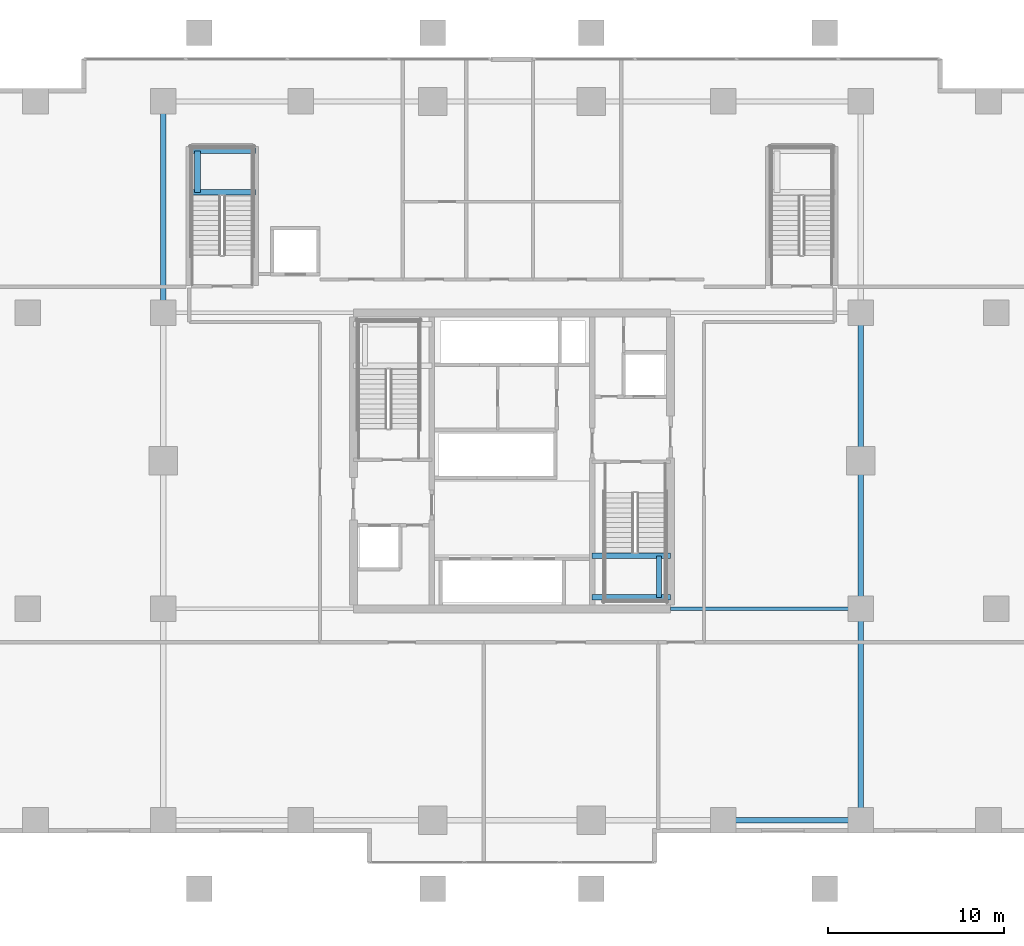
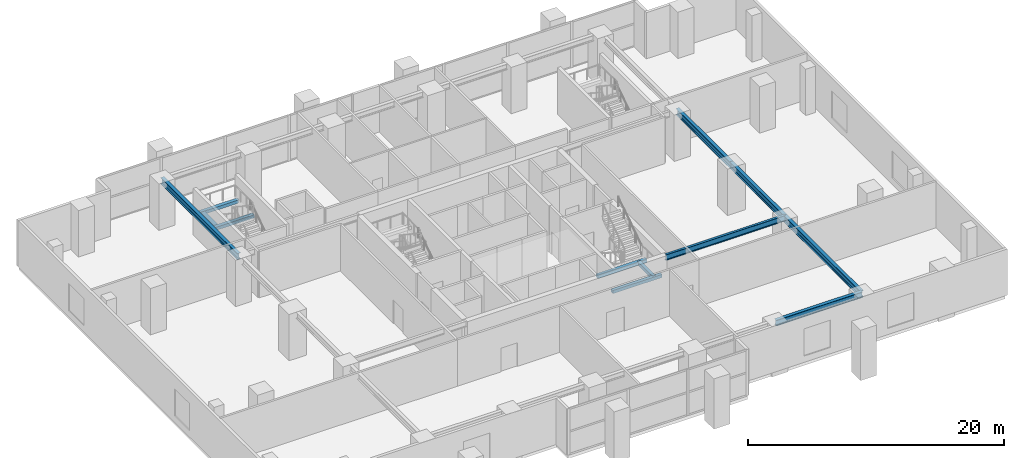
# One storey, part 5 of 20: 12 beams.
"""IFC4 building model written with IfcOpenShell, lengths in metres."""

from ifc_helpers import new_model, si_unit, direction, frame, origin, origin_2d, place, context, subcontext, project, spatial, rectangle, i_section, extrude, source, transform, mapped, material, material_profile, profile_set, type_object, element, save


model = new_model("IFC4")

# Units and contexts
model_context = context("Model", 3, precision=1e-05, world=origin(), true_north=direction((0.0, 1.0)))
body_context = subcontext(model_context, "Body", "Model", "MODEL_VIEW")
ifc_project = project(units=[si_unit("LENGTHUNIT", "METRE"), si_unit("AREAUNIT", "SQUARE_METRE"), si_unit("VOLUMEUNIT", "CUBIC_METRE"), si_unit("PLANEANGLEUNIT", "RADIAN"), si_unit("MASSUNIT", "GRAM", prefix="KILO")], contexts=[model_context])

# Site, building, storey
site_placement = place(None, origin())
site = spatial("IfcSite", under=ifc_project, at=site_placement, CompositionType="ELEMENT")
building_placement = place(site_placement, origin())
building = spatial("IfcBuilding", under=site, at=building_placement, Name="Serunith Strait Residences", CompositionType="ELEMENT")
storey_placement = place(building_placement, frame((0.0, 0.0, 10.5)))
storey = spatial("IfcBuildingStorey", under=building, at=storey_placement, Name="L02", CompositionType="ELEMENT", Elevation=10.5)

# Beams
ifc_material_1 = material(Name="Steel S355J2", Category="steel")
ifc_material_profile_1 = material_profile(ifc_material_1, i_section(OverallWidth=0.300048828125, OverallDepth=0.550048828125, WebThickness=0.014892578125, FlangeThickness=0.029052734375, FilletRadius=0.027099609375, at=origin_2d()), Name="HEB 550")
ifc_profile_set_1 = profile_set([ifc_material_profile_1], Name="Steel S355J2")
beam_type_1 = type_object("IfcBeamType", Name="BM-HEB550", PredefinedType="BEAM", material=ifc_profile_set_1)
shared_shape_1 = source(origin(), body_context, "Body", "SweptSolid", [
    extrude(i_section(OverallWidth=0.300048828125, OverallDepth=0.550048828125, WebThickness=0.014892578125, FlangeThickness=0.029052734375, FilletRadius=0.027099609375, at=origin_2d()), origin(), (0.0, 0.0, 1.0), 7.800048828125),
])
beam_1_placement = place(storey_placement, frame((44.39990234375, 4.800048828125, 4.14208984375), z_axis=(1.0, 0.0, 0.0), x_axis=(0.0, 1.0, 0.0)))
element("IfcBeam", 1, at=beam_1_placement, inside=storey, type_object=beam_type_1, Name="BM-L02-05", PredefinedType="BEAM", context=body_context, shape_type="MappedRepresentation", body=[
    mapped(shared_shape_1, transform((0.0, 0.0, 0.0), scale=1.0)),
])
ifc_material_profile_2 = material_profile(ifc_material_1, i_section(OverallWidth=0.300048828125, OverallDepth=0.60009765625, WebThickness=0.015380859375, FlangeThickness=0.030029296875, FilletRadius=0.027099609375, at=origin_2d()), Name="HEB 600")
ifc_profile_set_2 = profile_set([ifc_material_profile_2], Name="Steel S355J2")
beam_type_2 = type_object("IfcBeamType", Name="BM-HEB600", PredefinedType="BEAM", material=ifc_profile_set_2)
shared_shape_2 = source(origin(), body_context, "Body", "SweptSolid", [
    extrude(i_section(OverallWidth=0.300048828125, OverallDepth=0.60009765625, WebThickness=0.015380859375, FlangeThickness=0.030029296875, FilletRadius=0.027099609375, at=origin_2d()), origin(), (0.0, 0.0, 1.0), 12.0),
])
for number, where, z_axis, x_axis, name in (
    (2, (12.60009765625, 33.60009765625, 4.116943359375), (0.0, 1.0, 0.0), (-1.0, 0.0, 0.0), "BM-L02-14"),
    (3, (52.199951171875, 4.800048828125, 4.116943359375), (0.0, 1.0, 0.0), (-1.0, 0.0, 0.0), "BM-L02-15"),
):
    element("IfcBeam", number, at=place(storey_placement, frame(where, z_axis=z_axis, x_axis=x_axis)), inside=storey, type_object=beam_type_2, Name=name, PredefinedType="BEAM", context=body_context, shape_type="MappedRepresentation", body=[
        mapped(shared_shape_2, transform((0.0, 0.0, 0.0), scale=1.0)),
    ])
shared_shape_3 = source(origin(), body_context, "Body", "SweptSolid", [
    extrude(i_section(OverallWidth=0.300048828125, OverallDepth=0.60009765625, WebThickness=0.015380859375, FlangeThickness=0.030029296875, FilletRadius=0.027099609375, at=origin_2d()), origin(), (0.0, 0.0, 1.0), 8.39990234375),
])
beam_2_placement = place(storey_placement, frame((52.199951171875, 16.800048828125, 4.116943359375), z_axis=(0.0, 1.0, 0.0), x_axis=(-1.0, 0.0, 0.0)))
element("IfcBeam", 4, at=beam_2_placement, inside=storey, type_object=beam_type_2, Name="BM-L02-16", PredefinedType="BEAM", context=body_context, shape_type="MappedRepresentation", body=[
    mapped(shared_shape_3, transform((0.0, 0.0, 0.0), scale=1.0)),
])
shared_shape_4 = source(origin(), body_context, "Body", "SweptSolid", [
    extrude(i_section(OverallWidth=0.300048828125, OverallDepth=0.60009765625, WebThickness=0.015380859375, FlangeThickness=0.030029296875, FilletRadius=0.027099609375, at=origin_2d()), origin(), (0.0, 0.0, 1.0), 8.400146484375),
])
beam_3_placement = place(storey_placement, frame((52.199951171875, 25.199951171875, 4.116943359375), z_axis=(0.0, 1.0, 0.0), x_axis=(-1.0, 0.0, 0.0)))
element("IfcBeam", 5, at=beam_3_placement, inside=storey, type_object=beam_type_2, Name="BM-L02-17", PredefinedType="BEAM", context=body_context, shape_type="MappedRepresentation", body=[
    mapped(shared_shape_4, transform((0.0, 0.0, 0.0), scale=1.0)),
])
ifc_material_profile_3 = material_profile(ifc_material_1, i_section(OverallWidth=0.2099609375, OverallDepth=0.550048828125, WebThickness=0.010986328125, FlangeThickness=0.01708984375, FilletRadius=0.02392578125, at=origin_2d()), Name="IPE 550")
ifc_profile_set_3 = profile_set([ifc_material_profile_3], Name="Steel S355J2")
beam_type_3 = type_object("IfcBeamType", Name="BM-IPE550", PredefinedType="BEAM", material=ifc_profile_set_3)
shared_shape_5 = source(origin(), body_context, "Body", "SweptSolid", [
    extrude(i_section(OverallWidth=0.2099609375, OverallDepth=0.550048828125, WebThickness=0.010986328125, FlangeThickness=0.01708984375, FilletRadius=0.02392578125, at=origin_2d()), origin(), (0.0, 0.0, 1.0), 10.800048828125),
])
beam_4_placement = place(storey_placement, frame((41.39990234375, 16.800048828125, 4.14208984375), z_axis=(1.0, 0.0, 0.0), x_axis=(0.0, 1.0, 0.0)))
element("IfcBeam", 6, at=beam_4_placement, inside=storey, type_object=beam_type_3, Name="BM-L02-20", PredefinedType="BEAM", context=body_context, shape_type="MappedRepresentation", body=[
    mapped(shared_shape_5, transform((0.0, 0.0, 0.0), scale=1.0)),
])
ifc_material_2 = material(Name="Concrete C60/75", Category="concrete")
ifc_material_profile_4 = material_profile(ifc_material_2, rectangle(XDim=0.300048828125, YDim=0.300048828125, at=origin_2d()), Name="RC 300x300")
ifc_profile_set_4 = profile_set([ifc_material_profile_4], Name="Concrete C60/75")
beam_type_4 = type_object("IfcBeamType", Name="BM-LAND-300x300", PredefinedType="BEAM", material=ifc_profile_set_4)
shared_shape_6 = source(origin(), body_context, "Body", "SweptSolid", [
    extrude(rectangle(XDim=0.300048828125, YDim=0.300048828125, at=origin_2d()), origin(), (0.0, 0.0, 1.0), 4.449951171875),
])
for number, where, z_axis, x_axis, name in (
    (7, (36.949951171875, 17.449951171875, 2.050048828125), (1.0, 0.0, 0.0), (0.0, 1.0, 0.0), "L02 ST-2 Landing Support Beam 1"),
    (8, (36.949951171875, 19.81005859375, 2.050048828125), (1.0, 0.0, 0.0), (0.0, 1.0, 0.0), "L02 ST-2 Landing Support Beam 2"),
):
    element("IfcBeam", number, at=place(storey_placement, frame(where, z_axis=z_axis, x_axis=x_axis)), inside=storey, type_object=beam_type_4, Name=name, PredefinedType="BEAM", context=body_context, shape_type="MappedRepresentation", body=[
        mapped(shared_shape_6, transform((0.0, 0.0, 0.0), scale=1.0)),
    ])
shared_shape_7 = source(origin(), body_context, "Body", "SweptSolid", [
    extrude(rectangle(XDim=0.300048828125, YDim=0.300048828125, at=origin_2d()), origin(), (0.0, 0.0, 1.0), 2.360107421875),
])
beam_5_placement = place(storey_placement, frame((40.75, 17.449951171875, 2.050048828125), z_axis=(0.0, 1.0, 0.0), x_axis=(-1.0, 0.0, 0.0)))
element("IfcBeam", 9, at=beam_5_placement, inside=storey, type_object=beam_type_4, Name="L02 ST-2 Landing Transverse Tie Beam", PredefinedType="BEAM", context=body_context, shape_type="MappedRepresentation", body=[
    mapped(shared_shape_7, transform((0.0, 0.0, 0.0), scale=1.0)),
])
shared_shape_8 = source(origin(), body_context, "Body", "SweptSolid", [
    extrude(rectangle(XDim=0.300048828125, YDim=0.300048828125, at=origin_2d()), origin(), (0.0, 0.0, 1.0), 3.800048828125),
])
for number, where, z_axis, x_axis, name in (
    (10, (14.050048828125, 40.43994140625, 2.050048828125), (1.0, 0.0, 0.0), (0.0, 1.0, 0.0), "L02 ST-3 Landing Support Beam 1"),
    (11, (14.050048828125, 42.800048828125, 2.050048828125), (1.0, 0.0, 0.0), (0.0, 1.0, 0.0), "L02 ST-3 Landing Support Beam 2"),
):
    element("IfcBeam", number, at=place(storey_placement, frame(where, z_axis=z_axis, x_axis=x_axis)), inside=storey, type_object=beam_type_4, Name=name, PredefinedType="BEAM", context=body_context, shape_type="MappedRepresentation", body=[
        mapped(shared_shape_8, transform((0.0, 0.0, 0.0), scale=1.0)),
    ])
ifc_material_profile_5 = material_profile(ifc_material_2, rectangle(XDim=0.35009765625, YDim=0.39990234375, at=origin_2d()), Name="RC 350x400")
ifc_profile_set_5 = profile_set([ifc_material_profile_5], Name="Concrete C60/75")
beam_type_5 = type_object("IfcBeamType", Name="BM-LAND-350x400", PredefinedType="BEAM", material=ifc_profile_set_5)
shared_shape_9 = source(origin(), body_context, "Body", "SweptSolid", [
    extrude(rectangle(XDim=0.35009765625, YDim=0.39990234375, at=origin_2d()), origin(), (0.0, 0.0, 1.0), 2.360107421875),
])
beam_6_placement = place(storey_placement, frame((14.550048828125, 40.43994140625, 2.0), z_axis=(0.0, 1.0, 0.0), x_axis=(-1.0, 0.0, 0.0)))
element("IfcBeam", 12, at=beam_6_placement, inside=storey, type_object=beam_type_5, Name="L02 ST-3 Landing Transverse Trimmer", PredefinedType="BEAM", context=body_context, shape_type="MappedRepresentation", body=[
    mapped(shared_shape_9, transform((0.0, 0.0, 0.0), scale=1.0)),
])

save(model, "model.ifc")
